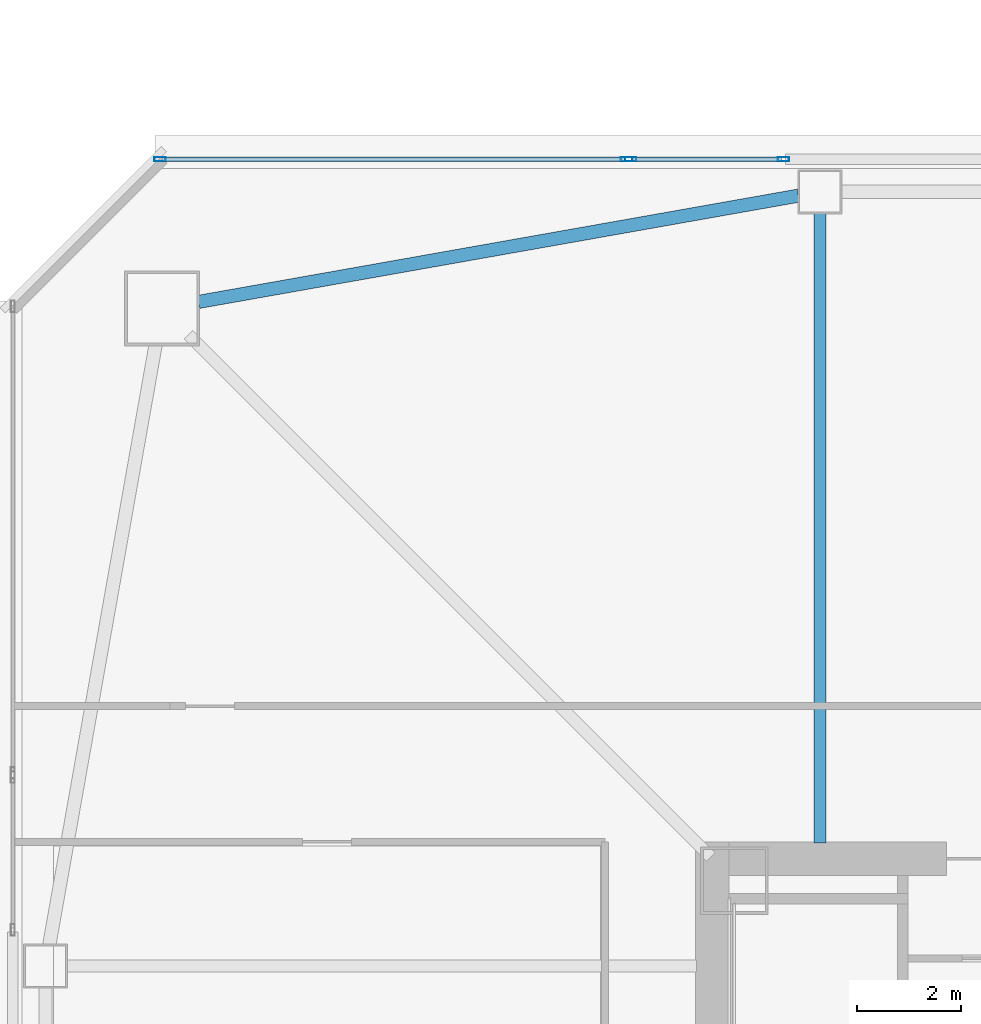
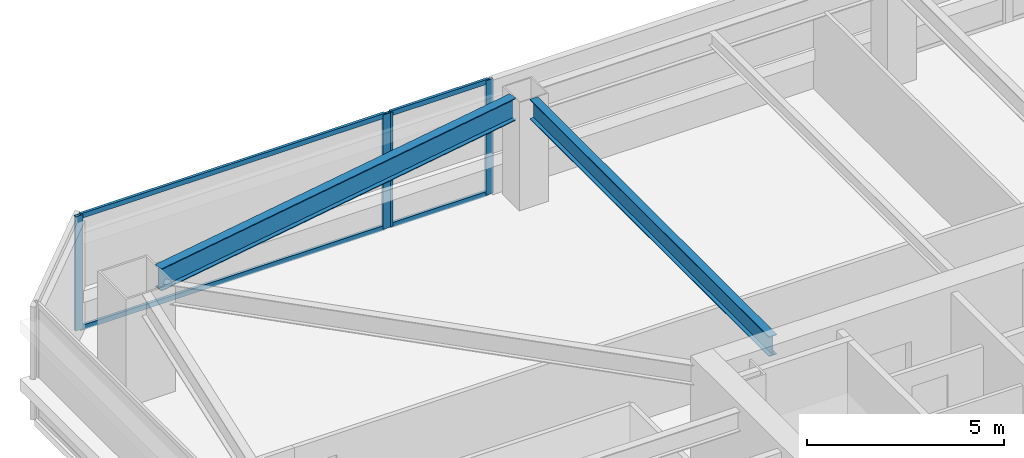
# One storey, part 12 of 46: 8 members, 2 beams, 2 elements without a shape of their own.
"""IFC4 building model written with IfcOpenShell, lengths in metres."""

from ifc_helpers import new_model, si_unit, direction, frame, origin, origin_2d, place, context, subcontext, project, spatial, hollow_rectangle, i_section, extrude, material, material_profile, profile_set, type_object, element, aggregate, save


model = new_model("IFC4")

# Units and contexts
model_context = context("Model", 3, precision=1e-05, world=origin(), true_north=direction((0.0, 1.0)))
body_context = subcontext(model_context, "Body", "Model", "MODEL_VIEW")
ifc_project = project(units=[si_unit("LENGTHUNIT", "METRE"), si_unit("AREAUNIT", "SQUARE_METRE"), si_unit("VOLUMEUNIT", "CUBIC_METRE"), si_unit("PLANEANGLEUNIT", "RADIAN"), si_unit("MASSUNIT", "GRAM", prefix="KILO")], contexts=[model_context])

# Site, building, storey
site_placement = place(None, origin())
site = spatial("IfcSite", under=ifc_project, at=site_placement, CompositionType="ELEMENT")
building_placement = place(site_placement, origin())
building = spatial("IfcBuilding", under=site, at=building_placement, Name="Tashvorn Skyway Center", CompositionType="ELEMENT")
storey_placement = place(building_placement, frame((0.0, 0.0, 99.14990234375)))
storey = spatial("IfcBuildingStorey", under=building, at=storey_placement, Name="L26", CompositionType="ELEMENT", Elevation=99.14990234375)

# Beams
ifc_material_1 = material(Name="Steel ASTM A992 Grade 50", Category="steel")
ifc_material_profile_1 = material_profile(ifc_material_1, i_section(OverallWidth=0.22998046875, OverallDepth=0.616943359375, WebThickness=0.01318359375, FlangeThickness=0.022216796875, at=origin_2d()), Name="W24X94")
ifc_profile_set_1 = profile_set([ifc_material_profile_1], Name="Steel ASTM A992 Grade 50")
beam_type_1 = type_object("IfcBeamType", Name="BM-BEAM-W24X94", PredefinedType="BEAM", material=ifc_profile_set_1)
beam_1_placement = place(storey_placement, frame((36.60009765625, 51.929931640625, 3.04150390625), z_axis=(0.0, -1.0, 0.0), x_axis=(1.0, 0.0, 0.0)))
element("IfcBeam", 1, at=beam_1_placement, inside=storey, type_object=beam_type_1, Name="Tower 1 L26 Primary Floor Girder FC-N2", PredefinedType="BEAM", context=body_context, shape_type="SweptSolid", body=[
    extrude(i_section(OverallWidth=0.22998046875, OverallDepth=0.616943359375, WebThickness=0.01318359375, FlangeThickness=0.022216796875, at=origin_2d()), origin(), (0.0, 0.0, 1.0), 12.14990234375),
])
ifc_material_profile_2 = material_profile(ifc_material_1, i_section(OverallWidth=0.256103515625, OverallDepth=0.693115234375, WebThickness=0.014404296875, FlangeThickness=0.023681640625, at=origin_2d()), Name="W27X114")
ifc_profile_set_2 = profile_set([ifc_material_profile_2], Name="Steel ASTM A992 Grade 50")
beam_type_2 = type_object("IfcBeamType", Name="BM-SPANDREL-W27X114", PredefinedType="SPANDREL", material=ifc_profile_set_2)
beam_2_placement = place(storey_placement, frame((36.1865234375, 52.276611328125, 3.003662109375), z_axis=(-0.98466816531, -0.174437966698, 0.0), x_axis=(0.174437966698, -0.98466816531, 0.0)))
element("IfcBeam", 2, at=beam_2_placement, inside=storey, type_object=beam_type_2, Name="Tower 1 L26 Spandrel Beam 09", PredefinedType="SPANDREL", context=body_context, shape_type="SweptSolid", body=[
    extrude(i_section(OverallWidth=0.256103515625, OverallDepth=0.693115234375, WebThickness=0.014404296875, FlangeThickness=0.023681640625, at=origin_2d()), origin(), (0.0, 0.0, 1.0), 11.7578125),
])

# Curtain wall, members
ifc_material_2 = material(Name="Thermally broken bronze-anodized aluminium 6063-T6", Category="aluminium")
curtain_wall_type = type_object("IfcCurtainWallType", Name="CW-CW-Z2", PredefinedType="NOTDEFINED", material=ifc_material_2)
curtain_wall_1_placement = place(storey_placement, origin())
curtain_wall_1 = element("IfcCurtainWall", 3, at=curtain_wall_1_placement, inside=storey, type_object=curtain_wall_type, Name="Tower 1 L26 North Unitised Curtain Wall Glazing Group 1", PredefinedType="NOTDEFINED")
ifc_material_profile_3 = material_profile(ifc_material_2, hollow_rectangle(XDim=0.080078125, YDim=0.219970703125, WallThickness=0.0048828125, at=origin_2d()), Name="ALU-MULL-80x220")
ifc_profile_set_3 = profile_set([ifc_material_profile_3], Name="Thermally broken bronze-anodized aluminium 6063-T6")
member_type_1 = type_object("IfcMemberType", Name="CWM-CW-Z2", PredefinedType="MULLION", material=ifc_profile_set_3)
member_1_placement = place(storey_placement, frame((23.860107421875, 52.97998046875, 0.0), z_axis=(0.0, 0.0, 1.0), x_axis=(0.0, 1.0, 0.0)))
member_1 = element("IfcMember", 4, at=member_1_placement, type_object=member_type_1, Name="CW-Z2 mullion 1", PredefinedType="MULLION", context=body_context, shape_type="SweptSolid", body=[
    extrude(hollow_rectangle(XDim=0.080078125, YDim=0.219970703125, WallThickness=0.0048828125, at=origin_2d()), origin(), (0.0, 0.0, 1.0), 3.550048828125),
])
member_2_placement = place(storey_placement, frame((32.8701171875, 52.97998046875, 0.0), z_axis=(0.0, 0.0, 1.0), x_axis=(0.0, 1.0, 0.0)))
member_2 = element("IfcMember", 5, at=member_2_placement, type_object=member_type_1, Name="CW-Z2 mullion 2", PredefinedType="MULLION", context=body_context, shape_type="SweptSolid", body=[
    extrude(hollow_rectangle(XDim=0.080078125, YDim=0.219970703125, WallThickness=0.0048828125, at=origin_2d()), origin(), (0.0, 0.0, 1.0), 3.550048828125),
])

curtain_wall_2_placement = place(storey_placement, origin())
curtain_wall_2 = element("IfcCurtainWall", 6, at=curtain_wall_2_placement, inside=storey, type_object=curtain_wall_type, Name="Tower 1 L26 North Unitised Curtain Wall Glazing Group 2", PredefinedType="NOTDEFINED")
member_3_placement = place(storey_placement, frame((32.949951171875, 52.97998046875, 0.0), z_axis=(0.0, 0.0, 1.0), x_axis=(0.0, 1.0, 0.0)))
member_3 = element("IfcMember", 7, at=member_3_placement, type_object=member_type_1, Name="CW-Z2 mullion 1", PredefinedType="MULLION", context=body_context, shape_type="SweptSolid", body=[
    extrude(hollow_rectangle(XDim=0.080078125, YDim=0.219970703125, WallThickness=0.0048828125, at=origin_2d()), origin(), (0.0, 0.0, 1.0), 3.550048828125),
])
member_4_placement = place(storey_placement, frame((35.89990234375, 52.97998046875, 0.0), z_axis=(0.0, 0.0, 1.0), x_axis=(0.0, 1.0, 0.0)))
member_4 = element("IfcMember", 8, at=member_4_placement, type_object=member_type_1, Name="CW-Z2 mullion 2", PredefinedType="MULLION", context=body_context, shape_type="SweptSolid", body=[
    extrude(hollow_rectangle(XDim=0.080078125, YDim=0.219970703125, WallThickness=0.0048828125, at=origin_2d()), origin(), (0.0, 0.0, 1.0), 3.550048828125),
])

# Member
ifc_material_profile_4 = material_profile(ifc_material_2, hollow_rectangle(XDim=0.080078125, YDim=0.14990234375, WallThickness=0.00439453125, at=origin_2d()), Name="ALU-TRAN-80x150")
ifc_profile_set_4 = profile_set([ifc_material_profile_4], Name="Thermally broken bronze-anodized aluminium 6063-T6")
member_type_2 = type_object("IfcMemberType", Name="CWT-CW-Z2", PredefinedType="USERDEFINED", material=ifc_profile_set_4)
member_5_placement = place(storey_placement, frame((23.89990234375, 52.97998046875, 0.0400390625), z_axis=(1.0, 0.0, 0.0), x_axis=(0.0, 1.0, 0.0)))
member_5 = element("IfcMember", 9, at=member_5_placement, type_object=member_type_2, Name="CW-Z2 transom 1.1", ObjectType="TRANSOM", PredefinedType="USERDEFINED", context=body_context, shape_type="SweptSolid", body=[
    extrude(hollow_rectangle(XDim=0.080078125, YDim=0.14990234375, WallThickness=0.00439453125, at=origin_2d()), origin(), (0.0, 0.0, 1.0), 8.93017578125),
])

member_6_placement = place(storey_placement, frame((23.89990234375, 52.97998046875, 3.510009765625), z_axis=(1.0, 0.0, 0.0), x_axis=(0.0, 1.0, 0.0)))
member_6 = element("IfcMember", 10, at=member_6_placement, type_object=member_type_2, Name="CW-Z2 transom 1.2", ObjectType="TRANSOM", PredefinedType="USERDEFINED", context=body_context, shape_type="SweptSolid", body=[
    extrude(hollow_rectangle(XDim=0.080078125, YDim=0.14990234375, WallThickness=0.00439453125, at=origin_2d()), origin(), (0.0, 0.0, 1.0), 8.93017578125),
])

aggregate(curtain_wall_1, [member_1, member_2, member_5, member_6])

member_7_placement = place(storey_placement, frame((32.989990234375, 52.97998046875, 0.0400390625), z_axis=(1.0, 0.0, 0.0), x_axis=(0.0, 1.0, 0.0)))
member_7 = element("IfcMember", 11, at=member_7_placement, type_object=member_type_2, Name="CW-Z2 transom 1.1", ObjectType="TRANSOM", PredefinedType="USERDEFINED", context=body_context, shape_type="SweptSolid", body=[
    extrude(hollow_rectangle(XDim=0.080078125, YDim=0.14990234375, WallThickness=0.00439453125, at=origin_2d()), origin(), (0.0, 0.0, 1.0), 2.8701171875),
])

member_8_placement = place(storey_placement, frame((32.989990234375, 52.97998046875, 3.510009765625), z_axis=(1.0, 0.0, 0.0), x_axis=(0.0, 1.0, 0.0)))
member_8 = element("IfcMember", 12, at=member_8_placement, type_object=member_type_2, Name="CW-Z2 transom 1.2", ObjectType="TRANSOM", PredefinedType="USERDEFINED", context=body_context, shape_type="SweptSolid", body=[
    extrude(hollow_rectangle(XDim=0.080078125, YDim=0.14990234375, WallThickness=0.00439453125, at=origin_2d()), origin(), (0.0, 0.0, 1.0), 2.8701171875),
])

aggregate(curtain_wall_2, [member_3, member_4, member_7, member_8])

save(model, "model.ifc")
